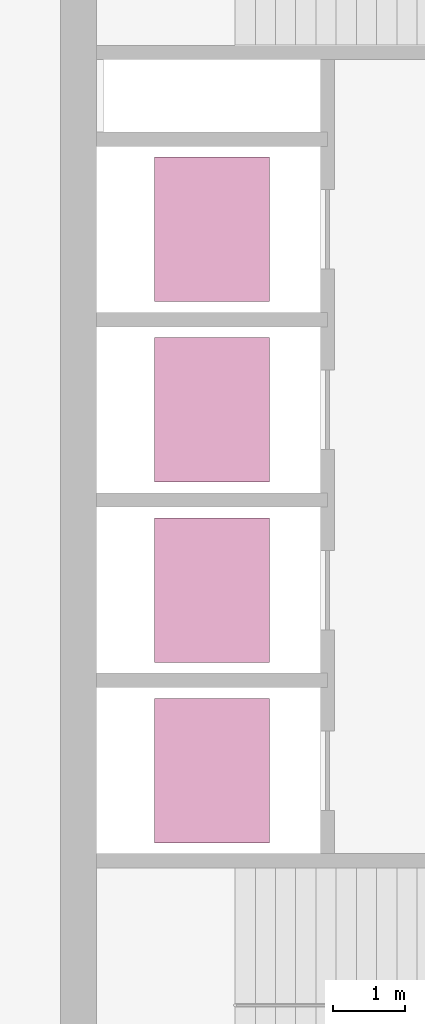
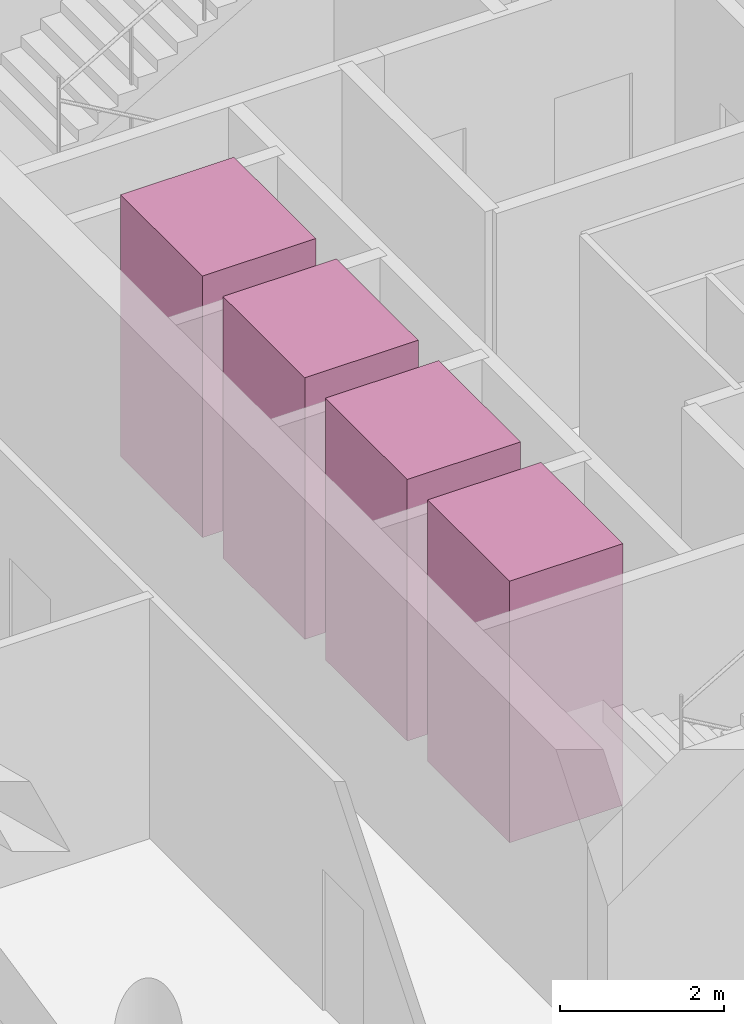
# One storey, part 9 of 9: 4 transport elements.
"""IFC4 building model written with IfcOpenShell, lengths in metres."""

import ifcopenshell
import ifcopenshell.guid

model = None  # the IFC model being written
_history = None  # IfcOwnerHistory: only IFC2X3 demands one
_inside = {}  # id of a spatial element -> (the spatial element, [elements in it])
_under = {}  # id of a project, library or spatial element -> (it, [spatial elements below it])
_declared = {}  # id of a project -> (the project, [libraries it declares])
_typed = {}  # id of a type object -> (the type object, [elements of that type])
_made_of = {}  # id of a material, layer set ... -> (it, [elements and type objects made of it])


def new_model(schema):
    """Start an empty IFC model of exactly this schema.

    Asked for "IFC4X3", IfcOpenShell would pick the latest addendum, in which some entities
    have other attributes; the version numbers below select the first issue.
    IFC2X3 requires an IfcOwnerHistory on every rooted entity: one is made here for all.
    """
    global model, _history
    if schema == "IFC4X3":
        model = ifcopenshell.file(schema_version=(4, 3, 0, 0))
    else:
        model = ifcopenshell.file(schema=schema)
    _inside.clear()
    _under.clear()
    _declared.clear()
    _typed.clear()
    _made_of.clear()
    _history = None
    if model.schema == "IFC2X3":
        org = make("IfcOrganization", Name="unknown")
        user = make(
            "IfcPersonAndOrganization",
            ThePerson=make("IfcPerson", FamilyName="unknown"),
            TheOrganization=org,
        )
        app = make(
            "IfcApplication",
            ApplicationDeveloper=org,
            Version="unknown",
            ApplicationFullName="unknown",
            ApplicationIdentifier="unknown",
        )
        _history = make(
            "IfcOwnerHistory",
            OwningUser=user,
            OwningApplication=app,
            ChangeAction="ADDED",
            CreationDate=0,
        )
    return model


def make(cls, **values):
    """One entity of the class cls with the attributes given. An attribute that is None is left unset."""
    return model.create_entity(
        cls, **{name: value for name, value in values.items() if value is not None}
    )


def rooted(cls, **values):
    """An entity with a GlobalId (a new one), such as an element, a storey or a relation."""
    return make(cls, GlobalId=ifcopenshell.guid.new(), OwnerHistory=_history, **values)


def si_unit(unit_type, name, prefix=None):
    """IfcSIUnit, for example si_unit("LENGTHUNIT", "METRE", prefix="MILLI")."""
    return make("IfcSIUnit", UnitType=unit_type, Prefix=prefix, Name=name)


def assignment(units):
    """IfcUnitAssignment: the units of a project."""
    return None if units is None else make("IfcUnitAssignment", Units=units)


def point(xyz):
    """IfcCartesianPoint."""
    return None if xyz is None else make("IfcCartesianPoint", Coordinates=xyz)


def direction(xyz):
    """IfcDirection."""
    return None if xyz is None else make("IfcDirection", DirectionRatios=xyz)


def frame(location, z_axis=None, x_axis=None):
    """IfcAxis2Placement3D, a coordinate frame: its origin and axes. An axis left out is left unset."""
    return make(
        "IfcAxis2Placement3D",
        Location=point(location),
        Axis=direction(z_axis),
        RefDirection=direction(x_axis),
    )


def frame_2d(location, x_axis=None):
    """IfcAxis2Placement2D, a coordinate frame in the plane: its origin and x axis."""
    return make(
        "IfcAxis2Placement2D", Location=point(location), RefDirection=direction(x_axis)
    )


def origin():
    """The frame at (0, 0, 0) with its axes left unset."""
    return frame((0.0, 0.0, 0.0))


def origin_2d():
    """The frame at (0, 0) in the plane with its x axis left unset."""
    return frame_2d((0.0, 0.0))


def place(relative_to, where):
    """IfcLocalPlacement: puts the frame where relative to a parent placement (None: the world)."""
    return make(
        "IfcLocalPlacement", PlacementRelTo=relative_to, RelativePlacement=where
    )


def context(
    kind, dimensions, precision=None, world=None, true_north=None, identifier=None
):
    """IfcGeometricRepresentationContext, for example the 3D "Model" context."""
    return make(
        "IfcGeometricRepresentationContext",
        ContextIdentifier=identifier,
        ContextType=kind,
        CoordinateSpaceDimension=dimensions,
        Precision=precision,
        WorldCoordinateSystem=world,
        TrueNorth=true_north,
    )


def subcontext(parent, identifier, kind, view, scale=None):
    """IfcGeometricRepresentationSubContext, for example "Body" below "Model"."""
    return make(
        "IfcGeometricRepresentationSubContext",
        ContextIdentifier=identifier,
        ContextType=kind,
        ParentContext=parent,
        TargetScale=scale,
        TargetView=view,
    )


def project(units=None, contexts=None):
    """IfcProject with its units and contexts."""
    return rooted(
        "IfcProject",
        Name="project",
        RepresentationContexts=contexts,
        UnitsInContext=assignment(units),
    )


def spatial(cls, under=None, at=None, **own):
    """A site, building, storey or space (cls), placed at a placement, below another one or the project."""
    s = rooted(cls, ObjectPlacement=at, **own)
    if under is not None:
        _under.setdefault(under.id(), (under, []))[1].append(s)
    return s


def profile(cls, at=None, kind="AREA", **sizes):
    """A parametric profile (cls). Its sizes go by their IFC names, for example OverallWidth=200.0."""
    return make(cls, ProfileType=kind, Position=at, **sizes)


def rectangle(**sizes):
    """IfcRectangleProfileDef."""
    return profile("IfcRectangleProfileDef", **sizes)


def extrude(swept, where, along, depth):
    """IfcExtrudedAreaSolid: the profile swept, set in the frame where, extruded along a direction by depth."""
    return make(
        "IfcExtrudedAreaSolid",
        SweptArea=swept,
        Position=where,
        ExtrudedDirection=direction(along),
        Depth=depth,
    )


def shape(context_of_items, identifier, shape_type, items):
    """IfcShapeRepresentation: the items that make up one representation, for example the "Body"."""
    return make(
        "IfcShapeRepresentation",
        ContextOfItems=context_of_items,
        RepresentationIdentifier=identifier,
        RepresentationType=shape_type,
        Items=items,
    )


def material(Name=None, Category=None):
    """IfcMaterial."""
    return make("IfcMaterial", Name=Name, Category=Category)


def made_of(thing, what):
    """Note that an element or type object is made of a material, layer set ...; save() writes the relation."""
    if what is not None:
        _made_of.setdefault(what.id(), (what, []))[1].append(thing)
    return thing


def type_object(cls, material=None, **own):
    """A type object (cls), such as IfcWallType, which elements share."""
    return made_of(rooted(cls, **own), material)


def element(
    cls,
    number,
    at=None,
    inside=None,
    cuts=None,
    type_object=None,
    material=None,
    context=None,
    identifier="Body",
    shape_type=None,
    held_by="IfcProductDefinitionShape",
    body=None,
    shapes=None,
    **own,
):
    """One element of the class cls, such as IfcWall. Its Tag is "e" and its number.

    at: its placement. inside: the storey or other place that contains it. cuts: it is an
    opening in that element (IfcRelVoidsElement). A single representation is given by context,
    identifier, shape_type and body (its items); several are given by shapes. held_by: the class
    of the entity that holds the representations. save() writes the other relations.
    """
    e = rooted(cls, Tag="e%d" % number, ObjectPlacement=at, **own)
    if body is not None:
        shapes = [shape(context, identifier, shape_type, body)]
    if shapes is not None:
        e.Representation = make(held_by, Representations=shapes)
    if inside is not None:
        _inside.setdefault(inside.id(), (inside, []))[1].append(e)
    if cuts is not None:
        rooted(
            "IfcRelVoidsElement", RelatingBuildingElement=cuts, RelatedOpeningElement=e
        )
    if type_object is not None:
        _typed.setdefault(type_object.id(), (type_object, []))[1].append(e)
    return made_of(e, material)


def aggregate(whole, parts):
    """IfcRelAggregates: a whole, such as a stair, and the parts it consists of."""
    return rooted("IfcRelAggregates", RelatingObject=whole, RelatedObjects=parts)


def save(model, path):
    """Write the relations noted so far, then the file.

    IfcRelAggregates (storeys below a building ...), IfcRelContainedInSpatialStructure (elements
    in a storey), IfcRelDefinesByType, IfcRelAssociatesMaterial and IfcRelDeclares: one each for
    every whole, place, type object, material and project.
    """
    for whole, parts in _under.values():
        aggregate(whole, parts)
    for where, things in _inside.values():
        rooted(
            "IfcRelContainedInSpatialStructure",
            RelatedElements=things,
            RelatingStructure=where,
        )
    for kind, things in _typed.values():
        rooted("IfcRelDefinesByType", RelatedObjects=things, RelatingType=kind)
    for what, things in _made_of.values():
        rooted("IfcRelAssociatesMaterial", RelatedObjects=things, RelatingMaterial=what)
    for by, libraries in _declared.values():
        rooted("IfcRelDeclares", RelatingContext=by, RelatedDefinitions=libraries)
    model.write(path)


model = new_model("IFC4")

# Units and contexts
model_context = context("Model", 3, precision=1e-05, world=origin(), true_north=direction((0.0, 1.0)))
body_context = subcontext(model_context, "Body", "Model", "MODEL_VIEW")
ifc_project = project(units=[si_unit("LENGTHUNIT", "METRE"), si_unit("AREAUNIT", "SQUARE_METRE"), si_unit("VOLUMEUNIT", "CUBIC_METRE"), si_unit("PLANEANGLEUNIT", "RADIAN"), si_unit("MASSUNIT", "GRAM", prefix="KILO")], contexts=[model_context])

# Site, building, storey
site_placement = place(None, origin())
site = spatial("IfcSite", under=ifc_project, at=site_placement, CompositionType="ELEMENT")
building_placement = place(site_placement, origin())
building = spatial("IfcBuilding", under=site, at=building_placement, Name="Qaws Garden Tower", CompositionType="ELEMENT")
storey_placement = place(building_placement, frame((0.0, 0.0, 270.89990234375)))
storey = spatial("IfcBuildingStorey", under=building, at=storey_placement, Name="L65", CompositionType="ELEMENT", Elevation=270.89990234375)

# Transport elements
ifc_material = material(Name="Stainless steel 316", Category="steel")
transport_element_type = type_object("IfcTransportElementType", Name="Passenger lift car 2000x1600 1800 kg", PredefinedType="ELEVATOR", material=ifc_material)
for number, where, z_axis, x_axis, name in (
    (1, (10.10009765625, 13.64990234375, 0.000244140625), (0.0, 0.0, 1.0), (1.0, 0.0, 0.0), "HR1"),
    (2, (10.10009765625, 16.14990234375, 0.000244140625), (0.0, 0.0, 1.0), (1.0, 0.0, 0.0), "HR2"),
    (3, (10.10009765625, 18.64990234375, 0.000244140625), (0.0, 0.0, 1.0), (1.0, 0.0, 0.0), "HR3"),
    (4, (10.10009765625, 21.14990234375, 0.000244140625), (0.0, 0.0, 1.0), (1.0, 0.0, 0.0), "HR4"),
):
    element("IfcTransportElement", number, at=place(storey_placement, frame(where, z_axis=z_axis, x_axis=x_axis)), inside=storey, type_object=transport_element_type, Name=name, PredefinedType="ELEVATOR", context=body_context, shape_type="SweptSolid", body=[
        extrude(rectangle(XDim=1.60009765625, YDim=2.0, at=origin_2d()), origin(), (0.0, 0.0, 1.0), 3.89990234375),
    ])

save(model, "model.ifc")
